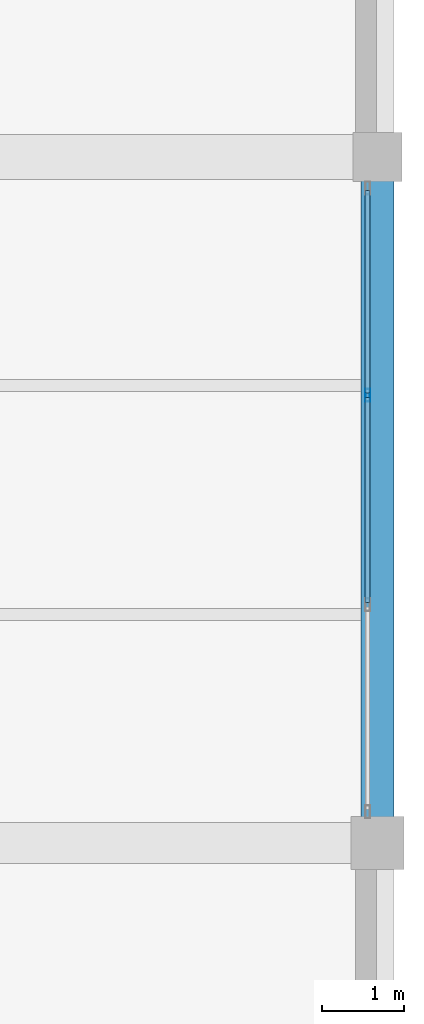
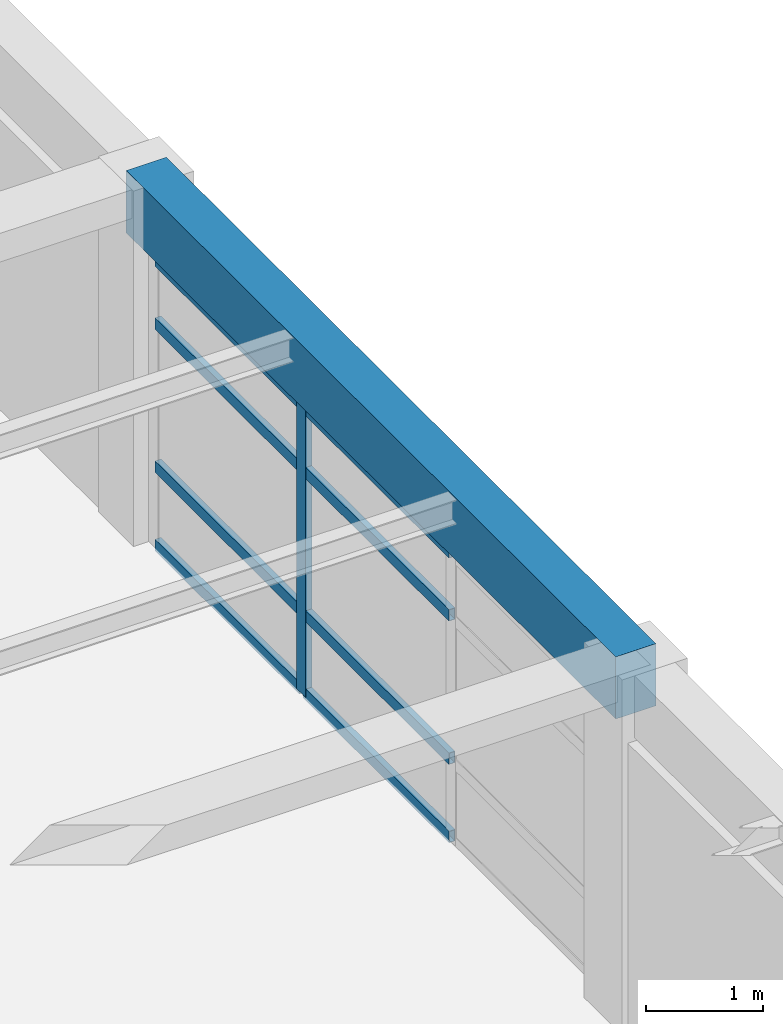
# One storey, part 13 of 26: 9 members, 1 beam, 1 element without a shape of its own.
"""IFC4 building model written with IfcOpenShell, lengths in metres."""

import ifcopenshell
import ifcopenshell.guid

model = None  # the IFC model being written
_history = None  # IfcOwnerHistory: only IFC2X3 demands one
_inside = {}  # id of a spatial element -> (the spatial element, [elements in it])
_under = {}  # id of a project, library or spatial element -> (it, [spatial elements below it])
_declared = {}  # id of a project -> (the project, [libraries it declares])
_typed = {}  # id of a type object -> (the type object, [elements of that type])
_made_of = {}  # id of a material, layer set ... -> (it, [elements and type objects made of it])


def new_model(schema):
    """Start an empty IFC model of exactly this schema.

    Asked for "IFC4X3", IfcOpenShell would pick the latest addendum, in which some entities
    have other attributes; the version numbers below select the first issue.
    IFC2X3 requires an IfcOwnerHistory on every rooted entity: one is made here for all.
    """
    global model, _history
    if schema == "IFC4X3":
        model = ifcopenshell.file(schema_version=(4, 3, 0, 0))
    else:
        model = ifcopenshell.file(schema=schema)
    _inside.clear()
    _under.clear()
    _declared.clear()
    _typed.clear()
    _made_of.clear()
    _history = None
    if model.schema == "IFC2X3":
        org = make("IfcOrganization", Name="unknown")
        user = make(
            "IfcPersonAndOrganization",
            ThePerson=make("IfcPerson", FamilyName="unknown"),
            TheOrganization=org,
        )
        app = make(
            "IfcApplication",
            ApplicationDeveloper=org,
            Version="unknown",
            ApplicationFullName="unknown",
            ApplicationIdentifier="unknown",
        )
        _history = make(
            "IfcOwnerHistory",
            OwningUser=user,
            OwningApplication=app,
            ChangeAction="ADDED",
            CreationDate=0,
        )
    return model


def make(cls, **values):
    """One entity of the class cls with the attributes given. An attribute that is None is left unset."""
    return model.create_entity(
        cls, **{name: value for name, value in values.items() if value is not None}
    )


def rooted(cls, **values):
    """An entity with a GlobalId (a new one), such as an element, a storey or a relation."""
    return make(cls, GlobalId=ifcopenshell.guid.new(), OwnerHistory=_history, **values)


def si_unit(unit_type, name, prefix=None):
    """IfcSIUnit, for example si_unit("LENGTHUNIT", "METRE", prefix="MILLI")."""
    return make("IfcSIUnit", UnitType=unit_type, Prefix=prefix, Name=name)


def assignment(units):
    """IfcUnitAssignment: the units of a project."""
    return None if units is None else make("IfcUnitAssignment", Units=units)


def point(xyz):
    """IfcCartesianPoint."""
    return None if xyz is None else make("IfcCartesianPoint", Coordinates=xyz)


def direction(xyz):
    """IfcDirection."""
    return None if xyz is None else make("IfcDirection", DirectionRatios=xyz)


def frame(location, z_axis=None, x_axis=None):
    """IfcAxis2Placement3D, a coordinate frame: its origin and axes. An axis left out is left unset."""
    return make(
        "IfcAxis2Placement3D",
        Location=point(location),
        Axis=direction(z_axis),
        RefDirection=direction(x_axis),
    )


def frame_2d(location, x_axis=None):
    """IfcAxis2Placement2D, a coordinate frame in the plane: its origin and x axis."""
    return make(
        "IfcAxis2Placement2D", Location=point(location), RefDirection=direction(x_axis)
    )


def origin():
    """The frame at (0, 0, 0) with its axes left unset."""
    return frame((0.0, 0.0, 0.0))


def origin_2d():
    """The frame at (0, 0) in the plane with its x axis left unset."""
    return frame_2d((0.0, 0.0))


def place(relative_to, where):
    """IfcLocalPlacement: puts the frame where relative to a parent placement (None: the world)."""
    return make(
        "IfcLocalPlacement", PlacementRelTo=relative_to, RelativePlacement=where
    )


def context(
    kind, dimensions, precision=None, world=None, true_north=None, identifier=None
):
    """IfcGeometricRepresentationContext, for example the 3D "Model" context."""
    return make(
        "IfcGeometricRepresentationContext",
        ContextIdentifier=identifier,
        ContextType=kind,
        CoordinateSpaceDimension=dimensions,
        Precision=precision,
        WorldCoordinateSystem=world,
        TrueNorth=true_north,
    )


def subcontext(parent, identifier, kind, view, scale=None):
    """IfcGeometricRepresentationSubContext, for example "Body" below "Model"."""
    return make(
        "IfcGeometricRepresentationSubContext",
        ContextIdentifier=identifier,
        ContextType=kind,
        ParentContext=parent,
        TargetScale=scale,
        TargetView=view,
    )


def project(units=None, contexts=None):
    """IfcProject with its units and contexts."""
    return rooted(
        "IfcProject",
        Name="project",
        RepresentationContexts=contexts,
        UnitsInContext=assignment(units),
    )


def spatial(cls, under=None, at=None, **own):
    """A site, building, storey or space (cls), placed at a placement, below another one or the project."""
    s = rooted(cls, ObjectPlacement=at, **own)
    if under is not None:
        _under.setdefault(under.id(), (under, []))[1].append(s)
    return s


def profile(cls, at=None, kind="AREA", **sizes):
    """A parametric profile (cls). Its sizes go by their IFC names, for example OverallWidth=200.0."""
    return make(cls, ProfileType=kind, Position=at, **sizes)


def rectangle(**sizes):
    """IfcRectangleProfileDef."""
    return profile("IfcRectangleProfileDef", **sizes)


def hollow_rectangle(**sizes):
    """IfcRectangleHollowProfileDef."""
    return profile("IfcRectangleHollowProfileDef", **sizes)


def extrude(swept, where, along, depth):
    """IfcExtrudedAreaSolid: the profile swept, set in the frame where, extruded along a direction by depth."""
    return make(
        "IfcExtrudedAreaSolid",
        SweptArea=swept,
        Position=where,
        ExtrudedDirection=direction(along),
        Depth=depth,
    )


def shape(context_of_items, identifier, shape_type, items):
    """IfcShapeRepresentation: the items that make up one representation, for example the "Body"."""
    return make(
        "IfcShapeRepresentation",
        ContextOfItems=context_of_items,
        RepresentationIdentifier=identifier,
        RepresentationType=shape_type,
        Items=items,
    )


def material(Name=None, Category=None):
    """IfcMaterial."""
    return make("IfcMaterial", Name=Name, Category=Category)


def material_profile(
    of_material, cross_section, Name=None, Category=None, Priority=None
):
    """IfcMaterialProfile: a cross section and its material."""
    return make(
        "IfcMaterialProfile",
        Name=Name,
        Material=of_material,
        Profile=cross_section,
        Priority=Priority,
        Category=Category,
    )


def profile_set(profiles, Name=None, composite=None):
    """IfcMaterialProfileSet."""
    return make(
        "IfcMaterialProfileSet",
        Name=Name,
        MaterialProfiles=profiles,
        CompositeProfile=composite,
    )


def made_of(thing, what):
    """Note that an element or type object is made of a material, layer set ...; save() writes the relation."""
    if what is not None:
        _made_of.setdefault(what.id(), (what, []))[1].append(thing)
    return thing


def type_object(cls, material=None, **own):
    """A type object (cls), such as IfcWallType, which elements share."""
    return made_of(rooted(cls, **own), material)


def element(
    cls,
    number,
    at=None,
    inside=None,
    cuts=None,
    type_object=None,
    material=None,
    context=None,
    identifier="Body",
    shape_type=None,
    held_by="IfcProductDefinitionShape",
    body=None,
    shapes=None,
    **own,
):
    """One element of the class cls, such as IfcWall. Its Tag is "e" and its number.

    at: its placement. inside: the storey or other place that contains it. cuts: it is an
    opening in that element (IfcRelVoidsElement). A single representation is given by context,
    identifier, shape_type and body (its items); several are given by shapes. held_by: the class
    of the entity that holds the representations. save() writes the other relations.
    """
    e = rooted(cls, Tag="e%d" % number, ObjectPlacement=at, **own)
    if body is not None:
        shapes = [shape(context, identifier, shape_type, body)]
    if shapes is not None:
        e.Representation = make(held_by, Representations=shapes)
    if inside is not None:
        _inside.setdefault(inside.id(), (inside, []))[1].append(e)
    if cuts is not None:
        rooted(
            "IfcRelVoidsElement", RelatingBuildingElement=cuts, RelatedOpeningElement=e
        )
    if type_object is not None:
        _typed.setdefault(type_object.id(), (type_object, []))[1].append(e)
    return made_of(e, material)


def aggregate(whole, parts):
    """IfcRelAggregates: a whole, such as a stair, and the parts it consists of."""
    return rooted("IfcRelAggregates", RelatingObject=whole, RelatedObjects=parts)


def save(model, path):
    """Write the relations noted so far, then the file.

    IfcRelAggregates (storeys below a building ...), IfcRelContainedInSpatialStructure (elements
    in a storey), IfcRelDefinesByType, IfcRelAssociatesMaterial and IfcRelDeclares: one each for
    every whole, place, type object, material and project.
    """
    for whole, parts in _under.values():
        aggregate(whole, parts)
    for where, things in _inside.values():
        rooted(
            "IfcRelContainedInSpatialStructure",
            RelatedElements=things,
            RelatingStructure=where,
        )
    for kind, things in _typed.values():
        rooted("IfcRelDefinesByType", RelatedObjects=things, RelatingType=kind)
    for what, things in _made_of.values():
        rooted("IfcRelAssociatesMaterial", RelatedObjects=things, RelatingMaterial=what)
    for by, libraries in _declared.values():
        rooted("IfcRelDeclares", RelatingContext=by, RelatedDefinitions=libraries)
    model.write(path)


model = new_model("IFC4")

# Units and contexts
model_context = context("Model", 3, precision=1e-05, world=origin(), true_north=direction((0.0, 1.0)))
body_context = subcontext(model_context, "Body", "Model", "MODEL_VIEW")
ifc_project = project(units=[si_unit("LENGTHUNIT", "METRE"), si_unit("AREAUNIT", "SQUARE_METRE"), si_unit("VOLUMEUNIT", "CUBIC_METRE"), si_unit("PLANEANGLEUNIT", "RADIAN"), si_unit("MASSUNIT", "GRAM", prefix="KILO")], contexts=[model_context])

# Site, building, storey
site_placement = place(None, origin())
site = spatial("IfcSite", under=ifc_project, at=site_placement, CompositionType="ELEMENT")
building_placement = place(site_placement, origin())
building = spatial("IfcBuilding", under=site, at=building_placement, Name="Almacenes y Pasaje Nevantli", CompositionType="ELEMENT")
storey_placement = place(building_placement, frame((0.0, 0.0, 42.699951171875)))
storey = spatial("IfcBuildingStorey", under=building, at=storey_placement, Name="L10", CompositionType="ELEMENT", Elevation=42.699951171875)

# Beam
ifc_material_1 = material(Name="Concrete C35/45", Category="concrete")
ifc_material_profile_1 = material_profile(ifc_material_1, rectangle(XDim=0.39990234375, YDim=0.64990234375, at=origin_2d()), Name="RC-BM-400x650")
ifc_profile_set_1 = profile_set([ifc_material_profile_1], Name="Concrete C35/45")
beam_type = type_object("IfcBeamType", Name="BM-RC-400x650", PredefinedType="SPANDREL", material=ifc_profile_set_1)
beam_placement = place(storey_placement, frame((159.60009765625, 75.60009765625, 3.39501953125), z_axis=(0.0, 1.0, 0.0), x_axis=(-1.0, 0.0, 0.0)))
element("IfcBeam", 1, at=beam_placement, inside=storey, type_object=beam_type, Name="L10 North-South Reinforced Concrete Beam #3841", PredefinedType="SPANDREL", context=body_context, shape_type="SweptSolid", body=[
    extrude(rectangle(XDim=0.39990234375, YDim=0.64990234375, at=origin_2d()), origin(), (0.0, 0.0, 1.0), 8.39990234375),
])

# Curtain wall, members
ifc_material_2 = material(Name="Thermally Broken Aluminium and Low-E Glass", Category="aluminium")
curtain_wall_type = type_object("IfcCurtainWallType", Name="CW-UNIT-TOWER", PredefinedType="USERDEFINED", material=ifc_material_2)
curtain_wall_placement = place(storey_placement, origin())
curtain_wall = element("IfcCurtainWall", 2, at=curtain_wall_placement, inside=storey, type_object=curtain_wall_type, Name="L10 Tower East Curtain Wall Bay 10", ObjectType="UNITIZED CURTAIN WALL", PredefinedType="USERDEFINED")
ifc_material_3 = material(Name="Thermally Broken Anodized Aluminium", Category="aluminium")
ifc_material_profile_2 = material_profile(ifc_material_3, hollow_rectangle(XDim=0.06005859375, YDim=0.159912109375, WallThickness=0.00390625, at=origin_2d()), Name="ALU-MUL-60x160")
ifc_profile_set_2 = profile_set([ifc_material_profile_2], Name="Thermally Broken Anodized Aluminium")
member_type_1 = type_object("IfcMemberType", Name="CW-MUL-180", PredefinedType="MULLION", material=ifc_profile_set_2)
member_1_placement = place(storey_placement, frame((159.47998046875, 81.083251953125, 0.0), z_axis=(0.0, 0.0, 1.0), x_axis=(-1.0, 0.0, 0.0)))
member_1 = element("IfcMember", 3, at=member_1_placement, type_object=member_type_1, Name="CW-L10-147 mullion 3", PredefinedType="MULLION", context=body_context, shape_type="SweptSolid", body=[
    extrude(hollow_rectangle(XDim=0.06005859375, YDim=0.159912109375, WallThickness=0.00390625, at=origin_2d()), origin(), (0.0, 0.0, 1.0), 3.0400390625),
])
ifc_material_4 = material(Name="Thermally Broken Anodized Aluminium", Category="aluminium")
ifc_material_profile_3 = material_profile(ifc_material_4, hollow_rectangle(XDim=0.06005859375, YDim=0.1201171875, WallThickness=0.00341796875, at=origin_2d()), Name="ALU-TRN-60x120")
ifc_profile_set_3 = profile_set([ifc_material_profile_3], Name="Thermally Broken Anodized Aluminium")
member_type_2 = type_object("IfcMemberType", Name="CW-TRN-130", PredefinedType="USERDEFINED", material=ifc_profile_set_3)
member_2_placement = place(storey_placement, frame((159.47998046875, 78.546630859375, 0.030029296875), z_axis=(0.0, 1.0, 0.0), x_axis=(-1.0, 0.0, 0.0)))
member_2 = element("IfcMember", 4, at=member_2_placement, type_object=member_type_2, Name="CW-L10-147 transom 2.1", ObjectType="TRANSOM", PredefinedType="USERDEFINED", context=body_context, shape_type="SweptSolid", body=[
    extrude(hollow_rectangle(XDim=0.06005859375, YDim=0.1201171875, WallThickness=0.00341796875, at=origin_2d()), origin(), (0.0, 0.0, 1.0), 2.506591796875),
])
member_3_placement = place(storey_placement, frame((159.47998046875, 78.546630859375, 0.85009765625), z_axis=(0.0, 1.0, 0.0), x_axis=(-1.0, 0.0, 0.0)))
member_3 = element("IfcMember", 5, at=member_3_placement, type_object=member_type_2, Name="CW-L10-147 transom 2.2", ObjectType="TRANSOM", PredefinedType="USERDEFINED", context=body_context, shape_type="SweptSolid", body=[
    extrude(hollow_rectangle(XDim=0.06005859375, YDim=0.1201171875, WallThickness=0.00341796875, at=origin_2d()), origin(), (0.0, 0.0, 1.0), 2.506591796875),
])
member_4_placement = place(storey_placement, frame((159.47998046875, 78.546630859375, 2.35009765625), z_axis=(0.0, 1.0, 0.0), x_axis=(-1.0, 0.0, 0.0)))
member_4 = element("IfcMember", 6, at=member_4_placement, type_object=member_type_2, Name="CW-L10-147 transom 2.3", ObjectType="TRANSOM", PredefinedType="USERDEFINED", context=body_context, shape_type="SweptSolid", body=[
    extrude(hollow_rectangle(XDim=0.06005859375, YDim=0.1201171875, WallThickness=0.00341796875, at=origin_2d()), origin(), (0.0, 0.0, 1.0), 2.506591796875),
])
member_5_placement = place(storey_placement, frame((159.47998046875, 78.546630859375, 3.010009765625), z_axis=(0.0, 1.0, 0.0), x_axis=(-1.0, 0.0, 0.0)))
member_5 = element("IfcMember", 7, at=member_5_placement, type_object=member_type_2, Name="CW-L10-147 transom 2.4", ObjectType="TRANSOM", PredefinedType="USERDEFINED", context=body_context, shape_type="SweptSolid", body=[
    extrude(hollow_rectangle(XDim=0.06005859375, YDim=0.1201171875, WallThickness=0.00341796875, at=origin_2d()), origin(), (0.0, 0.0, 1.0), 2.506591796875),
])
member_6_placement = place(storey_placement, frame((159.47998046875, 81.11328125, 0.030029296875), z_axis=(0.0, 1.0, 0.0), x_axis=(-1.0, 0.0, 0.0)))
member_6 = element("IfcMember", 8, at=member_6_placement, type_object=member_type_2, Name="CW-L10-147 transom 3.1", ObjectType="TRANSOM", PredefinedType="USERDEFINED", context=body_context, shape_type="SweptSolid", body=[
    extrude(hollow_rectangle(XDim=0.06005859375, YDim=0.1201171875, WallThickness=0.00341796875, at=origin_2d()), origin(), (0.0, 0.0, 1.0), 2.476806640625),
])
member_7_placement = place(storey_placement, frame((159.47998046875, 81.11328125, 0.85009765625), z_axis=(0.0, 1.0, 0.0), x_axis=(-1.0, 0.0, 0.0)))
member_7 = element("IfcMember", 9, at=member_7_placement, type_object=member_type_2, Name="CW-L10-147 transom 3.2", ObjectType="TRANSOM", PredefinedType="USERDEFINED", context=body_context, shape_type="SweptSolid", body=[
    extrude(hollow_rectangle(XDim=0.06005859375, YDim=0.1201171875, WallThickness=0.00341796875, at=origin_2d()), origin(), (0.0, 0.0, 1.0), 2.476806640625),
])
member_8_placement = place(storey_placement, frame((159.47998046875, 81.11328125, 2.35009765625), z_axis=(0.0, 1.0, 0.0), x_axis=(-1.0, 0.0, 0.0)))
member_8 = element("IfcMember", 10, at=member_8_placement, type_object=member_type_2, Name="CW-L10-147 transom 3.3", ObjectType="TRANSOM", PredefinedType="USERDEFINED", context=body_context, shape_type="SweptSolid", body=[
    extrude(hollow_rectangle(XDim=0.06005859375, YDim=0.1201171875, WallThickness=0.00341796875, at=origin_2d()), origin(), (0.0, 0.0, 1.0), 2.476806640625),
])
member_9_placement = place(storey_placement, frame((159.47998046875, 81.11328125, 3.010009765625), z_axis=(0.0, 1.0, 0.0), x_axis=(-1.0, 0.0, 0.0)))
member_9 = element("IfcMember", 11, at=member_9_placement, type_object=member_type_2, Name="CW-L10-147 transom 3.4", ObjectType="TRANSOM", PredefinedType="USERDEFINED", context=body_context, shape_type="SweptSolid", body=[
    extrude(hollow_rectangle(XDim=0.06005859375, YDim=0.1201171875, WallThickness=0.00341796875, at=origin_2d()), origin(), (0.0, 0.0, 1.0), 2.476806640625),
])
aggregate(curtain_wall, [member_1, member_2, member_3, member_4, member_5, member_6, member_7, member_8, member_9])

save(model, "model.ifc")
